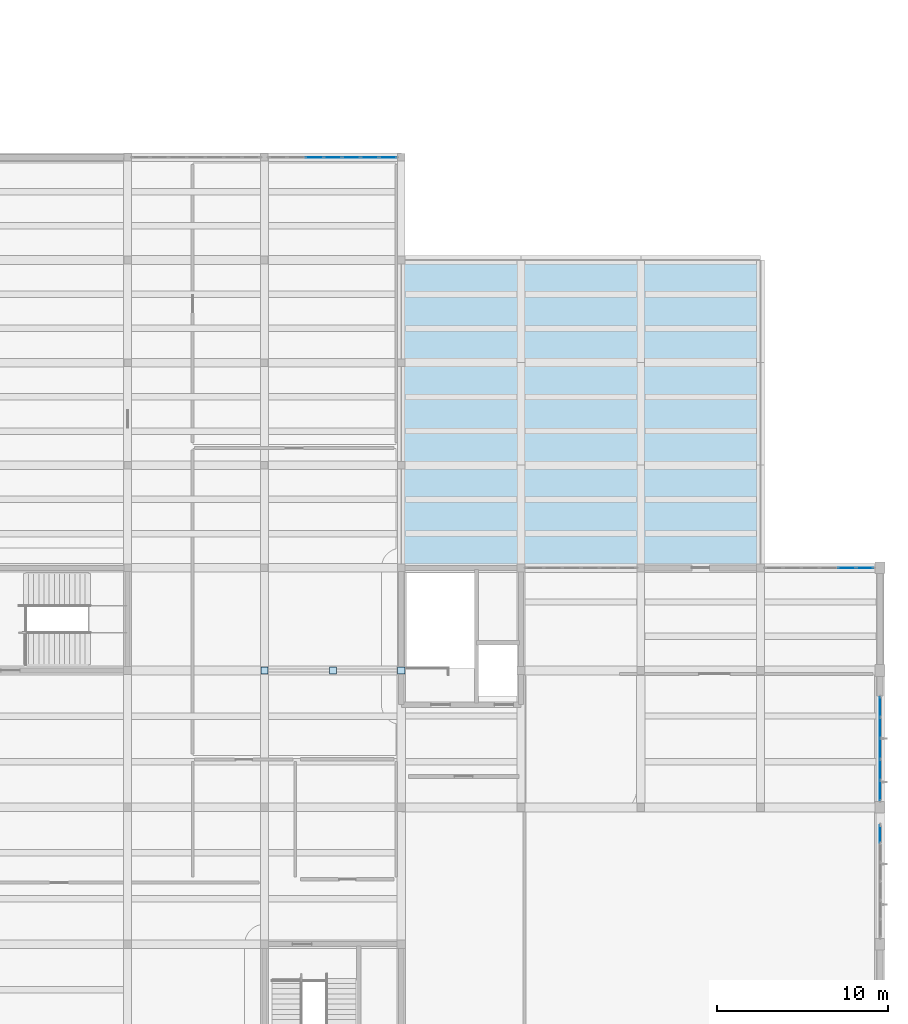
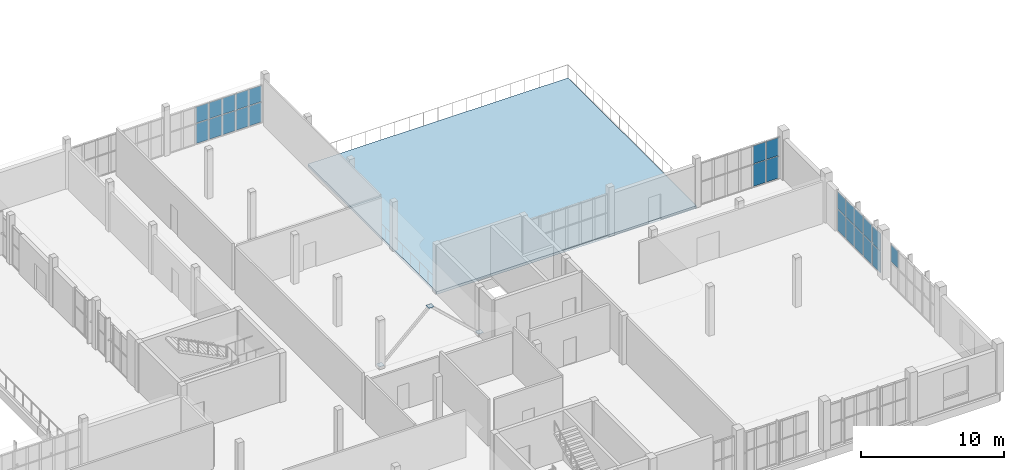
# One storey, part 51 of 70: 28 plates, 1 slab, 4 elements without a shape of their own.
"""IFC4 building model written with IfcOpenShell, lengths in metres."""

from ifc_helpers import new_model, si_unit, direction, frame, origin, origin_2d, place, context, subcontext, project, spatial, polyline, rectangle, outline, extrude, material, layer, layer_set, type_object, element, aggregate, save


model = new_model("IFC4")

# Units and contexts
model_context = context("Model", 3, precision=1e-05, world=origin(), true_north=direction((0.0, 1.0)))
body_context = subcontext(model_context, "Body", "Model", "MODEL_VIEW")
ifc_project = project(units=[si_unit("LENGTHUNIT", "METRE"), si_unit("AREAUNIT", "SQUARE_METRE"), si_unit("VOLUMEUNIT", "CUBIC_METRE"), si_unit("PLANEANGLEUNIT", "RADIAN"), si_unit("MASSUNIT", "GRAM", prefix="KILO")], contexts=[model_context])

# Site, building, storey
site_placement = place(None, origin())
site = spatial("IfcSite", under=ifc_project, at=site_placement, CompositionType="ELEMENT")
building_placement = place(site_placement, origin())
building = spatial("IfcBuilding", under=site, at=building_placement, Name="Solvane Community Centre", CompositionType="ELEMENT")
storey_placement = place(building_placement, frame((0.0, 0.0, 9.60009765625)))
storey = spatial("IfcBuildingStorey", under=building, at=storey_placement, Name="L02", CompositionType="ELEMENT", Elevation=9.60009765625)

# Plates
ifc_material_1 = material(Name="Steel ASTM A572 Grade 50", Category="steel")
ifc_layer_1 = layer(ifc_material_1, 0.02392578125)
ifc_layer_set_1 = layer_set([ifc_layer_1], Name="Steel ASTM A572 Grade 50")
plate_type_1 = type_object("IfcPlateType", Name="Bracing Node Gusset Plate 420x420x24", PredefinedType="USERDEFINED", material=ifc_layer_set_1)
for number, where, z_axis, x_axis, name in (
    (1, (136.0, 30.0, 3.81787109375), (0.0, 0.0, 1.0), (1.0, 0.0, 0.0), "Gusset Plate PLT-L02-0118"),
    (2, (132.0, 30.0, 0.2080078125), (0.0, 0.0, 1.0), (1.0, 0.0, 0.0), "Gusset Plate PLT-L02-0119"),
    (3, (140.0, 30.0, 0.2080078125), (0.0, 0.0, 1.0), (1.0, 0.0, 0.0), "Gusset Plate PLT-L02-0120"),
):
    element("IfcPlate", number, at=place(storey_placement, frame(where, z_axis=z_axis, x_axis=x_axis)), inside=storey, type_object=plate_type_1, Name=name, ObjectType="GUSSET_PLATE", PredefinedType="USERDEFINED", context=body_context, shape_type="SweptSolid", body=[
        extrude(rectangle(XDim=0.419921875, YDim=0.419921875, at=origin_2d()), origin(), (0.0, 0.0, 1.0), 0.02392578125),
    ])

# Slab
ifc_material_2 = material(Name="Concrete C35/45", Category="concrete")
ifc_layer_2 = layer(ifc_material_2, 0.219970703125)
ifc_layer_set_2 = layer_set([ifc_layer_2], Name="Concrete C35/45")
slab_type = type_object("IfcSlabType", Name="Insulated Planted Terrace Slab 220mm [TER-L02-V3N]", PredefinedType="FLOOR", material=ifc_layer_set_2)
slab_placement = place(storey_placement, frame((0.0, 0.0, -0.22021484375)))
element("IfcSlab", 4, at=slab_placement, inside=storey, type_object=slab_type, Name="Dining Pavilion Shoulder Roof Garden", PredefinedType="FLOOR", context=body_context, shape_type="SweptSolid", body=[
    extrude(outline(polyline([(140.0, 36.0), (161.0, 36.0), (161.0, 54.0), (140.0, 54.0), (140.0, 36.0)])), origin(), (0.0, 0.0, 1.0), 0.22021484375),
])

# Curtain wall, plates
ifc_material_3 = material(Name="Anodised bronze aluminium AW-6063 T6", Category="aluminium")
ifc_layer_3 = layer(ifc_material_3, 0.18994140625)
ifc_layer_set_3 = layer_set([ifc_layer_3], Name="Anodised bronze aluminium AW-6063 T6")
curtain_wall_type_1 = type_object("IfcCurtainWallType", Name="Boulevard Bronze Vision Curtain Wall [61x35dm]", PredefinedType="NOTDEFINED", material=ifc_layer_set_3)
curtain_wall_1_placement = place(storey_placement, origin())
curtain_wall_1 = element("IfcCurtainWall", 5, at=curtain_wall_1_placement, inside=storey, type_object=curtain_wall_type_1, Name="Curtain Wall CW-L02-1680_285-204", PredefinedType="NOTDEFINED")
ifc_material_4 = material(Name="Tempered low-E double glazing", Category="glass")
ifc_layer_4 = layer(ifc_material_4, 0.028076171875)
ifc_layer_set_4 = layer_set([ifc_layer_4], Name="Tempered low-E double glazing")
plate_type_2 = type_object("IfcPlateType", Name="Low-E Vision Glazing Panel 28mm [61x35dm]", PredefinedType="CURTAIN_PANEL", material=ifc_layer_set_4)
plate_1_placement = place(storey_placement, frame((168.0, 27.87060546875, 0.06005859375), z_axis=(0.0, 0.0, 1.0), x_axis=(0.0, -1.0, 0.0)))
plate_1 = element("IfcPlate", 6, at=plate_1_placement, type_object=plate_type_2, Name="CW02-61x35 panel 1.1", PredefinedType="CURTAIN_PANEL", context=body_context, shape_type="SweptSolid", body=[
    extrude(rectangle(XDim=1.138916015625, YDim=0.028076171875, at=origin_2d()), origin(), (0.0, 0.0, 1.0), 1.81591796875),
])
plate_2_placement = place(storey_placement, frame((168.0, 27.87060546875, 1.93603515625), z_axis=(0.0, 0.0, 1.0), x_axis=(0.0, -1.0, 0.0)))
plate_2 = element("IfcPlate", 7, at=plate_2_placement, type_object=plate_type_2, Name="CW02-61x35 panel 1.2", PredefinedType="CURTAIN_PANEL", context=body_context, shape_type="SweptSolid", body=[
    extrude(rectangle(XDim=1.138916015625, YDim=0.028076171875, at=origin_2d()), origin(), (0.0, 0.0, 1.0), 1.468994140625),
])
plate_3_placement = place(storey_placement, frame((168.0, 26.656494140625, 0.06005859375), z_axis=(0.0, 0.0, 1.0), x_axis=(0.0, -1.0, 0.0)))
plate_3 = element("IfcPlate", 8, at=plate_3_placement, type_object=plate_type_2, Name="CW02-61x35 panel 2.1", PredefinedType="CURTAIN_PANEL", context=body_context, shape_type="SweptSolid", body=[
    extrude(rectangle(XDim=1.1689453125, YDim=0.028076171875, at=origin_2d()), origin(), (0.0, 0.0, 1.0), 1.81591796875),
])
plate_4_placement = place(storey_placement, frame((168.0, 26.656494140625, 1.93603515625), z_axis=(0.0, 0.0, 1.0), x_axis=(0.0, -1.0, 0.0)))
plate_4 = element("IfcPlate", 9, at=plate_4_placement, type_object=plate_type_2, Name="CW02-61x35 panel 2.2", PredefinedType="CURTAIN_PANEL", context=body_context, shape_type="SweptSolid", body=[
    extrude(rectangle(XDim=1.1689453125, YDim=0.028076171875, at=origin_2d()), origin(), (0.0, 0.0, 1.0), 1.468994140625),
])
plate_5_placement = place(storey_placement, frame((168.0, 25.427490234375, 0.06005859375), z_axis=(0.0, 0.0, 1.0), x_axis=(0.0, -1.0, 0.0)))
plate_5 = element("IfcPlate", 10, at=plate_5_placement, type_object=plate_type_2, Name="CW02-61x35 panel 3.1", PredefinedType="CURTAIN_PANEL", context=body_context, shape_type="SweptSolid", body=[
    extrude(rectangle(XDim=1.1689453125, YDim=0.028076171875, at=origin_2d()), origin(), (0.0, 0.0, 1.0), 1.81591796875),
])
plate_6_placement = place(storey_placement, frame((168.0, 25.427490234375, 1.93603515625), z_axis=(0.0, 0.0, 1.0), x_axis=(0.0, -1.0, 0.0)))
plate_6 = element("IfcPlate", 11, at=plate_6_placement, type_object=plate_type_2, Name="CW02-61x35 panel 3.2", PredefinedType="CURTAIN_PANEL", context=body_context, shape_type="SweptSolid", body=[
    extrude(rectangle(XDim=1.1689453125, YDim=0.028076171875, at=origin_2d()), origin(), (0.0, 0.0, 1.0), 1.468994140625),
])
plate_7_placement = place(storey_placement, frame((168.0, 24.198486328125, 0.06005859375), z_axis=(0.0, 0.0, 1.0), x_axis=(0.0, -1.0, 0.0)))
plate_7 = element("IfcPlate", 12, at=plate_7_placement, type_object=plate_type_2, Name="CW02-61x35 panel 4.1", PredefinedType="CURTAIN_PANEL", context=body_context, shape_type="SweptSolid", body=[
    extrude(rectangle(XDim=1.1689453125, YDim=0.028076171875, at=origin_2d()), origin(), (0.0, 0.0, 1.0), 1.81591796875),
])
plate_8_placement = place(storey_placement, frame((168.0, 24.198486328125, 1.93603515625), z_axis=(0.0, 0.0, 1.0), x_axis=(0.0, -1.0, 0.0)))
plate_8 = element("IfcPlate", 13, at=plate_8_placement, type_object=plate_type_2, Name="CW02-61x35 panel 4.2", PredefinedType="CURTAIN_PANEL", context=body_context, shape_type="SweptSolid", body=[
    extrude(rectangle(XDim=1.1689453125, YDim=0.028076171875, at=origin_2d()), origin(), (0.0, 0.0, 1.0), 1.468994140625),
])
plate_9_placement = place(storey_placement, frame((168.0, 22.984619140625, 0.06005859375), z_axis=(0.0, 0.0, 1.0), x_axis=(0.0, -1.0, 0.0)))
plate_9 = element("IfcPlate", 14, at=plate_9_placement, type_object=plate_type_2, Name="CW02-61x35 panel 5.1", PredefinedType="CURTAIN_PANEL", context=body_context, shape_type="SweptSolid", body=[
    extrude(rectangle(XDim=1.138916015625, YDim=0.028076171875, at=origin_2d()), origin(), (0.0, 0.0, 1.0), 1.81591796875),
])
plate_10_placement = place(storey_placement, frame((168.0, 22.984619140625, 1.93603515625), z_axis=(0.0, 0.0, 1.0), x_axis=(0.0, -1.0, 0.0)))
plate_10 = element("IfcPlate", 15, at=plate_10_placement, type_object=plate_type_2, Name="CW02-61x35 panel 5.2", PredefinedType="CURTAIN_PANEL", context=body_context, shape_type="SweptSolid", body=[
    extrude(rectangle(XDim=1.138916015625, YDim=0.028076171875, at=origin_2d()), origin(), (0.0, 0.0, 1.0), 1.468994140625),
])
aggregate(curtain_wall_1, [plate_1, plate_2, plate_3, plate_4, plate_5, plate_6, plate_7, plate_8, plate_9, plate_10])

ifc_layer_5 = layer(ifc_material_3, 0.18994140625)
ifc_layer_set_5 = layer_set([ifc_layer_5], Name="Anodised bronze aluminium AW-6063 T6")
curtain_wall_type_2 = type_object("IfcCurtainWallType", Name="Boulevard Bronze Vision Curtain Wall [64x36dm]", PredefinedType="NOTDEFINED", material=ifc_layer_set_5)
curtain_wall_2_placement = place(storey_placement, origin())
curtain_wall_2 = element("IfcCurtainWall", 16, at=curtain_wall_2_placement, inside=storey, type_object=curtain_wall_type_2, Name="Curtain Wall CW-L02-1612_360-203", PredefinedType="NOTDEFINED")
ifc_layer_6 = layer(ifc_material_4, 0.028076171875)
ifc_layer_set_6 = layer_set([ifc_layer_6], Name="Tempered low-E double glazing")
plate_type_3 = type_object("IfcPlateType", Name="Low-E Vision Glazing Panel 28mm [64x36dm]", PredefinedType="CURTAIN_PANEL", material=ifc_layer_set_6)
plate_11_placement = place(storey_placement, frame((166.044921875, 36.0, 0.06005859375), z_axis=(0.0, 0.0, 1.0), x_axis=(1.0, 0.0, 0.0)))
plate_11 = element("IfcPlate", 17, at=plate_11_placement, type_object=plate_type_3, Name="CW02-64x36 panel 5.1", PredefinedType="CURTAIN_PANEL", context=body_context, shape_type="SweptSolid", body=[
    extrude(rectangle(XDim=1.006591796875, YDim=0.028076171875, at=origin_2d()), origin(), (0.0, 0.0, 1.0), 1.87890625),
])
plate_12_placement = place(storey_placement, frame((166.044921875, 36.0, 1.9990234375), z_axis=(0.0, 0.0, 1.0), x_axis=(1.0, 0.0, 0.0)))
plate_12 = element("IfcPlate", 18, at=plate_12_placement, type_object=plate_type_3, Name="CW02-64x36 panel 5.2", PredefinedType="CURTAIN_PANEL", context=body_context, shape_type="SweptSolid", body=[
    extrude(rectangle(XDim=1.006591796875, YDim=0.028076171875, at=origin_2d()), origin(), (0.0, 0.0, 1.0), 1.52099609375),
])
plate_13_placement = place(storey_placement, frame((167.0966796875, 36.0, 0.06005859375), z_axis=(0.0, 0.0, 1.0), x_axis=(1.0, 0.0, 0.0)))
plate_13 = element("IfcPlate", 19, at=plate_13_placement, type_object=plate_type_3, Name="CW02-64x36 panel 6.1", PredefinedType="CURTAIN_PANEL", context=body_context, shape_type="SweptSolid", body=[
    extrude(rectangle(XDim=0.9765625, YDim=0.028076171875, at=origin_2d()), origin(), (0.0, 0.0, 1.0), 1.87890625),
])
plate_14_placement = place(storey_placement, frame((167.0966796875, 36.0, 1.9990234375), z_axis=(0.0, 0.0, 1.0), x_axis=(1.0, 0.0, 0.0)))
plate_14 = element("IfcPlate", 20, at=plate_14_placement, type_object=plate_type_3, Name="CW02-64x36 panel 6.2", PredefinedType="CURTAIN_PANEL", context=body_context, shape_type="SweptSolid", body=[
    extrude(rectangle(XDim=0.9765625, YDim=0.028076171875, at=origin_2d()), origin(), (0.0, 0.0, 1.0), 1.52099609375),
])
aggregate(curtain_wall_2, [plate_11, plate_12, plate_13, plate_14])

# Curtain wall, plate
ifc_layer_7 = layer(ifc_material_3, 0.18994140625)
ifc_layer_set_7 = layer_set([ifc_layer_7], Name="Anodised bronze aluminium AW-6063 T6")
curtain_wall_type_3 = type_object("IfcCurtainWallType", Name="Boulevard Bronze Vision Curtain Wall [66x35dm]", PredefinedType="NOTDEFINED", material=ifc_layer_set_7)
curtain_wall_3_placement = place(storey_placement, origin())
curtain_wall_3 = element("IfcCurtainWall", 21, at=curtain_wall_3_placement, inside=storey, type_object=curtain_wall_type_3, Name="Curtain Wall CW-L02-1680_210-205", PredefinedType="NOTDEFINED")
ifc_layer_8 = layer(ifc_material_4, 0.028076171875)
ifc_layer_set_8 = layer_set([ifc_layer_8], Name="Tempered low-E double glazing")
plate_type_4 = type_object("IfcPlateType", Name="Low-E Vision Glazing Panel 28mm [66x35dm]", PredefinedType="CURTAIN_PANEL", material=ifc_layer_set_8)
plate_15_placement = place(storey_placement, frame((168.0, 20.43115234375, 1.93603515625), z_axis=(0.0, 0.0, 1.0), x_axis=(0.0, -1.0, 0.0)))
plate_15 = element("IfcPlate", 22, at=plate_15_placement, type_object=plate_type_4, Name="CW02-66x35 panel 1.2", PredefinedType="CURTAIN_PANEL", context=body_context, shape_type="SweptSolid", body=[
    extrude(rectangle(XDim=1.017578125, YDim=0.028076171875, at=origin_2d()), origin(), (0.0, 0.0, 1.0), 1.468994140625),
])
aggregate(curtain_wall_3, [plate_15])

# Curtain wall, plates
ifc_layer_9 = layer(ifc_material_3, 0.18994140625)
ifc_layer_set_9 = layer_set([ifc_layer_9], Name="Anodised bronze aluminium AW-6063 T6")
curtain_wall_type_4 = type_object("IfcCurtainWallType", Name="Boulevard Bronze Vision Curtain Wall [75x32dm]", PredefinedType="NOTDEFINED", material=ifc_layer_set_9)
curtain_wall_4_placement = place(storey_placement, origin())
curtain_wall_4 = element("IfcCurtainWall", 23, at=curtain_wall_4_placement, inside=storey, type_object=curtain_wall_type_4, Name="Curtain Wall CW-L02-1322_600-201", PredefinedType="NOTDEFINED")
ifc_layer_10 = layer(ifc_material_4, 0.028076171875)
ifc_layer_set_10 = layer_set([ifc_layer_10], Name="Tempered low-E double glazing")
plate_type_5 = type_object("IfcPlateType", Name="Low-E Vision Glazing Panel 28mm [75x32dm]", PredefinedType="CURTAIN_PANEL", material=ifc_layer_set_10)
plate_16_placement = place(storey_placement, frame((134.92431640625, 60.0, 0.06005859375), z_axis=(0.0, 0.0, 1.0), x_axis=(1.0, 0.0, 0.0)))
plate_16 = element("IfcPlate", 24, at=plate_16_placement, type_object=plate_type_5, Name="CW02-75x32 panel 3.1", PredefinedType="CURTAIN_PANEL", context=body_context, shape_type="SweptSolid", body=[
    extrude(rectangle(XDim=1.015625, YDim=0.028076171875, at=origin_2d()), origin(), (0.0, 0.0, 1.0), 1.695068359375),
])
plate_17_placement = place(storey_placement, frame((134.92431640625, 60.0, 1.81494140625), z_axis=(0.0, 0.0, 1.0), x_axis=(1.0, 0.0, 0.0)))
plate_17 = element("IfcPlate", 25, at=plate_17_placement, type_object=plate_type_5, Name="CW02-75x32 panel 3.2", PredefinedType="CURTAIN_PANEL", context=body_context, shape_type="SweptSolid", body=[
    extrude(rectangle(XDim=1.015625, YDim=0.028076171875, at=origin_2d()), origin(), (0.0, 0.0, 1.0), 1.3701171875),
])
plate_18_placement = place(storey_placement, frame((136.0, 60.0, 0.06005859375), z_axis=(0.0, 0.0, 1.0), x_axis=(1.0, 0.0, 0.0)))
plate_18 = element("IfcPlate", 26, at=plate_18_placement, type_object=plate_type_5, Name="CW02-75x32 panel 4.1", PredefinedType="CURTAIN_PANEL", context=body_context, shape_type="SweptSolid", body=[
    extrude(rectangle(XDim=1.015625, YDim=0.028076171875, at=origin_2d()), origin(), (0.0, 0.0, 1.0), 1.695068359375),
])
plate_19_placement = place(storey_placement, frame((136.0, 60.0, 1.81494140625), z_axis=(0.0, 0.0, 1.0), x_axis=(1.0, 0.0, 0.0)))
plate_19 = element("IfcPlate", 27, at=plate_19_placement, type_object=plate_type_5, Name="CW02-75x32 panel 4.2", PredefinedType="CURTAIN_PANEL", context=body_context, shape_type="SweptSolid", body=[
    extrude(rectangle(XDim=1.015625, YDim=0.028076171875, at=origin_2d()), origin(), (0.0, 0.0, 1.0), 1.3701171875),
])
plate_20_placement = place(storey_placement, frame((137.07568359375, 60.0, 0.06005859375), z_axis=(0.0, 0.0, 1.0), x_axis=(1.0, 0.0, 0.0)))
plate_20 = element("IfcPlate", 28, at=plate_20_placement, type_object=plate_type_5, Name="CW02-75x32 panel 5.1", PredefinedType="CURTAIN_PANEL", context=body_context, shape_type="SweptSolid", body=[
    extrude(rectangle(XDim=1.015625, YDim=0.028076171875, at=origin_2d()), origin(), (0.0, 0.0, 1.0), 1.695068359375),
])
plate_21_placement = place(storey_placement, frame((137.07568359375, 60.0, 1.81494140625), z_axis=(0.0, 0.0, 1.0), x_axis=(1.0, 0.0, 0.0)))
plate_21 = element("IfcPlate", 29, at=plate_21_placement, type_object=plate_type_5, Name="CW02-75x32 panel 5.2", PredefinedType="CURTAIN_PANEL", context=body_context, shape_type="SweptSolid", body=[
    extrude(rectangle(XDim=1.015625, YDim=0.028076171875, at=origin_2d()), origin(), (0.0, 0.0, 1.0), 1.3701171875),
])
plate_22_placement = place(storey_placement, frame((138.1513671875, 60.0, 0.06005859375), z_axis=(0.0, 0.0, 1.0), x_axis=(1.0, 0.0, 0.0)))
plate_22 = element("IfcPlate", 30, at=plate_22_placement, type_object=plate_type_5, Name="CW02-75x32 panel 6.1", PredefinedType="CURTAIN_PANEL", context=body_context, shape_type="SweptSolid", body=[
    extrude(rectangle(XDim=1.015625, YDim=0.028076171875, at=origin_2d()), origin(), (0.0, 0.0, 1.0), 1.695068359375),
])
plate_23_placement = place(storey_placement, frame((138.1513671875, 60.0, 1.81494140625), z_axis=(0.0, 0.0, 1.0), x_axis=(1.0, 0.0, 0.0)))
plate_23 = element("IfcPlate", 31, at=plate_23_placement, type_object=plate_type_5, Name="CW02-75x32 panel 6.2", PredefinedType="CURTAIN_PANEL", context=body_context, shape_type="SweptSolid", body=[
    extrude(rectangle(XDim=1.015625, YDim=0.028076171875, at=origin_2d()), origin(), (0.0, 0.0, 1.0), 1.3701171875),
])
plate_24_placement = place(storey_placement, frame((139.212158203125, 60.0, 0.06005859375), z_axis=(0.0, 0.0, 1.0), x_axis=(1.0, 0.0, 0.0)))
plate_24 = element("IfcPlate", 32, at=plate_24_placement, type_object=plate_type_5, Name="CW02-75x32 panel 7.1", PredefinedType="CURTAIN_PANEL", context=body_context, shape_type="SweptSolid", body=[
    extrude(rectangle(XDim=0.985595703125, YDim=0.028076171875, at=origin_2d()), origin(), (0.0, 0.0, 1.0), 1.695068359375),
])
plate_25_placement = place(storey_placement, frame((139.212158203125, 60.0, 1.81494140625), z_axis=(0.0, 0.0, 1.0), x_axis=(1.0, 0.0, 0.0)))
plate_25 = element("IfcPlate", 33, at=plate_25_placement, type_object=plate_type_5, Name="CW02-75x32 panel 7.2", PredefinedType="CURTAIN_PANEL", context=body_context, shape_type="SweptSolid", body=[
    extrude(rectangle(XDim=0.985595703125, YDim=0.028076171875, at=origin_2d()), origin(), (0.0, 0.0, 1.0), 1.3701171875),
])
aggregate(curtain_wall_4, [plate_16, plate_17, plate_18, plate_19, plate_20, plate_21, plate_22, plate_23, plate_24, plate_25])

save(model, "model.ifc")
